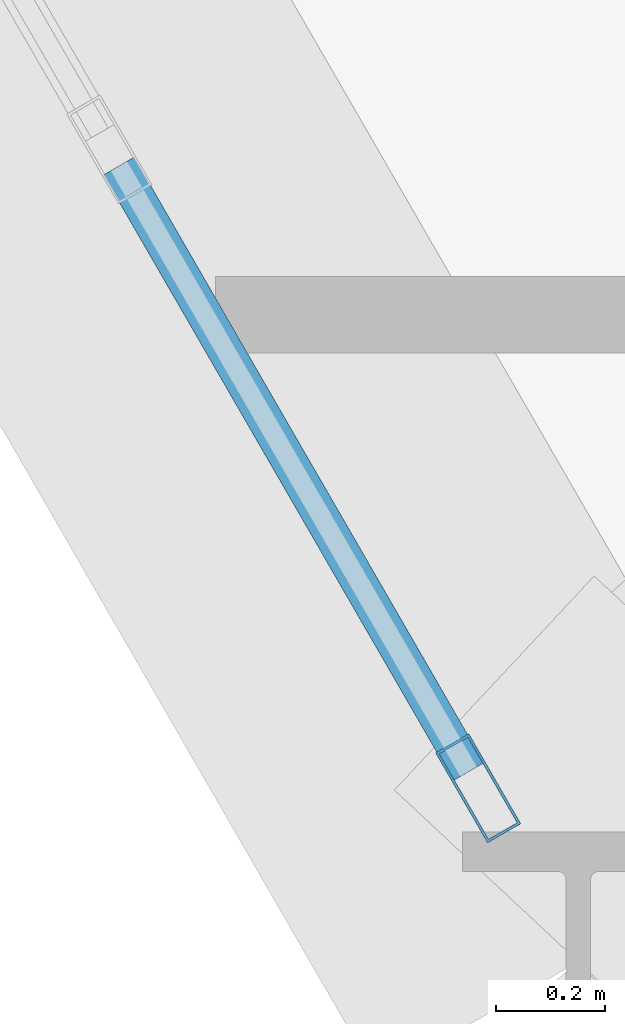
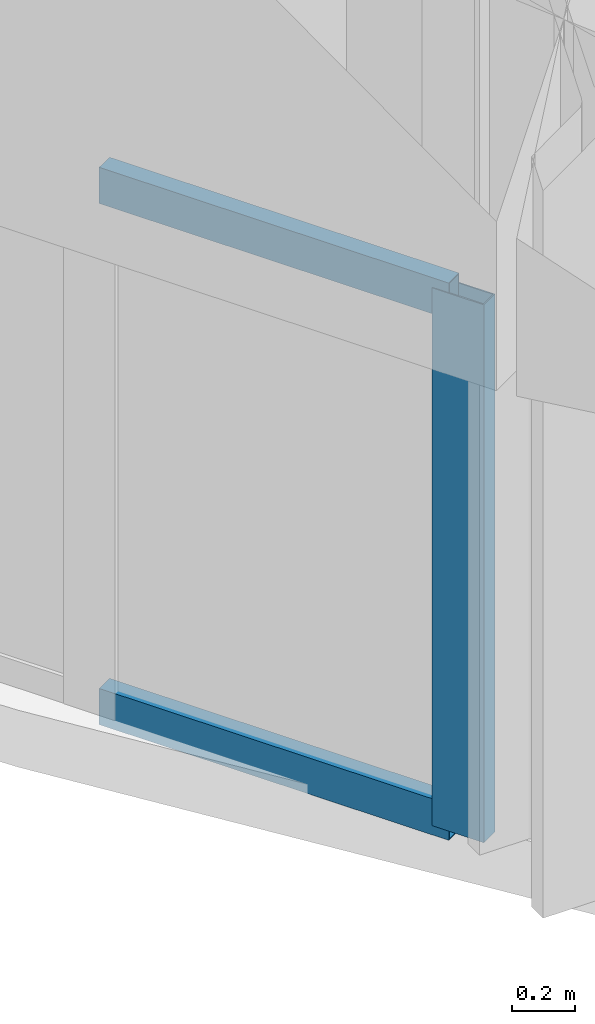
# One storey, part 2 of 20: 3 members, 1 element without a shape of its own.
"""IFC4 building model written with IfcOpenShell, lengths in metres."""

from ifc_helpers import new_model, si_unit, derived_unit, direction, frame, origin, origin_2d, place, context, subcontext, project, spatial, hollow_rectangle, extrude, source, transform, mapped, material, layer, layer_set, material_profile, profile_set, type_object, element, aggregate, save


model = new_model("IFC4")

# Units and contexts
model_context = context("Model", 3, precision=1e-05, world=origin(), true_north=direction((0.0, 1.0)))
body_context = subcontext(model_context, "Body", "Model", "MODEL_VIEW")
ifc_project = project(units=[si_unit("LENGTHUNIT", "METRE"), si_unit("AREAUNIT", "SQUARE_METRE"), si_unit("VOLUMEUNIT", "CUBIC_METRE"), si_unit("PLANEANGLEUNIT", "RADIAN"), si_unit("MASSUNIT", "GRAM", prefix="KILO"), derived_unit("THERMALTRANSMITTANCEUNIT", [(si_unit("POWERUNIT", "WATT"), 1), (si_unit("LENGTHUNIT", "METRE"), -2), (si_unit("THERMODYNAMICTEMPERATUREUNIT", "KELVIN"), -1)])], contexts=[model_context])

# Site, building, storey
site_placement = place(None, origin())
site = spatial("IfcSite", under=ifc_project, at=site_placement, CompositionType="ELEMENT")
building_placement = place(site_placement, origin())
building = spatial("IfcBuilding", under=site, at=building_placement, Name="Korsvarv Bourse and Concert Hall", CompositionType="ELEMENT")
storey_placement = place(building_placement, frame((0.0, 0.0, 43.5)))
storey = spatial("IfcBuildingStorey", under=building, at=storey_placement, Name="L10", CompositionType="ELEMENT", Elevation=43.5)

# Curtain wall, members
ifc_material_1 = material(Name="Anodised aluminium and triple low-E glazing", Category="glass")
ifc_layer = layer(ifc_material_1, 0.219970703125)
ifc_layer_set = layer_set([ifc_layer], Name="Anodised aluminium and triple low-E glazing")
curtain_wall_type = type_object("IfcCurtainWallType", Name="CW-SYS-1", PredefinedType="NOTDEFINED", material=ifc_layer_set)
curtain_wall_placement = place(storey_placement, origin())
curtain_wall = element("IfcCurtainWall", 1, at=curtain_wall_placement, inside=storey, type_object=curtain_wall_type, Name="L10 CW1 curtain wall CW-L10-F07", PredefinedType="NOTDEFINED")
ifc_material_2 = material(Name="Extruded aluminium EN AW-6063 T66", Category="aluminium")
ifc_material_profile_1 = material_profile(ifc_material_2, hollow_rectangle(XDim=0.070068359375, YDim=0.18994140625, WallThickness=0.0048828125, at=origin_2d()), Name="ALU-M 70x190")
ifc_profile_set_1 = profile_set([ifc_material_profile_1], Name="Extruded aluminium EN AW-6063 T66")
member_type_1 = type_object("IfcMemberType", Name="CWM-190", PredefinedType="MULLION", material=ifc_profile_set_1)
shared_shape_1 = source(origin(), body_context, "Body", "SweptSolid", [
    extrude(hollow_rectangle(XDim=0.070068359375, YDim=0.18994140625, WallThickness=0.0048828125, at=origin_2d()), origin(), (0.0, 0.0, 1.0), 2.080078125),
])
member_1_placement = place(storey_placement, frame((21.253173828125, 18.7392578125, 0.0), z_axis=(0.0, 0.0, 1.0), x_axis=(0.866025616828, 0.499999630998, 0.0)))
member_1 = element("IfcMember", 2, at=member_1_placement, type_object=member_type_1, Name="CW1 mullion 12", PredefinedType="MULLION", context=body_context, shape_type="MappedRepresentation", body=[
    mapped(shared_shape_1, transform((0.0, 0.0, 0.0), scale=1.0)),
])
ifc_material_profile_2 = material_profile(ifc_material_2, hollow_rectangle(XDim=0.06494140625, YDim=0.139892578125, WallThickness=0.00390625, at=origin_2d()), Name="ALU-T 65x140")
ifc_profile_set_2 = profile_set([ifc_material_profile_2], Name="Extruded aluminium EN AW-6063 T66")
member_type_2 = type_object("IfcMemberType", Name="CWT-140", PredefinedType="USERDEFINED", material=ifc_profile_set_2)
shared_shape_2 = source(origin(), body_context, "Body", "SweptSolid", [
    extrude(hollow_rectangle(XDim=0.06494140625, YDim=0.139892578125, WallThickness=0.00390625, at=origin_2d()), origin(), (0.0, 0.0, 1.0), 1.27880859375),
])
member_2_placement = place(storey_placement, frame((20.59619140625, 19.876953125, 0.032470703125), z_axis=(0.50001992892, -0.866013897511, 0.0), x_axis=(0.866013897511, 0.50001992892, 0.0)))
member_2 = element("IfcMember", 3, at=member_2_placement, type_object=member_type_2, Name="CW1 transom 11.1", ObjectType="TRANSOM", PredefinedType="USERDEFINED", context=body_context, shape_type="MappedRepresentation", body=[
    mapped(shared_shape_2, transform((0.0, 0.0, 0.0), scale=1.0)),
])
member_3_placement = place(storey_placement, frame((20.59619140625, 19.876953125, 2.047607421875), z_axis=(0.50001992892, -0.866013897511, 0.0), x_axis=(0.866013897511, 0.50001992892, 0.0)))
member_3 = element("IfcMember", 4, at=member_3_placement, type_object=member_type_2, Name="CW1 transom 11.2", ObjectType="TRANSOM", PredefinedType="USERDEFINED", context=body_context, shape_type="MappedRepresentation", body=[
    mapped(shared_shape_2, transform((0.0, 0.0, 0.0), scale=1.0)),
])
aggregate(curtain_wall, [member_1, member_2, member_3])

save(model, "model.ifc")
